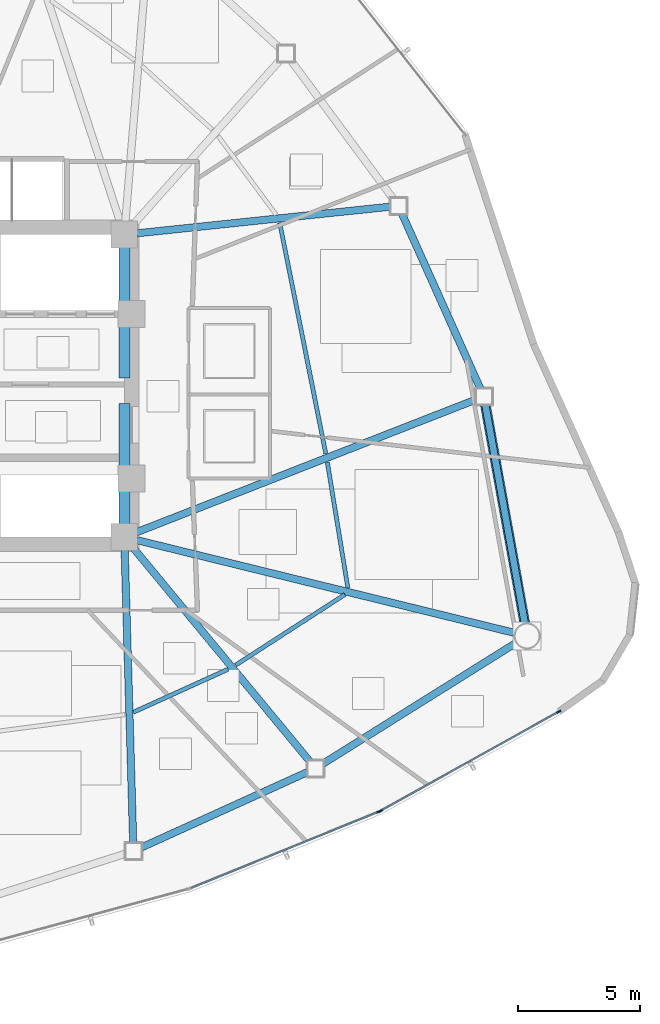
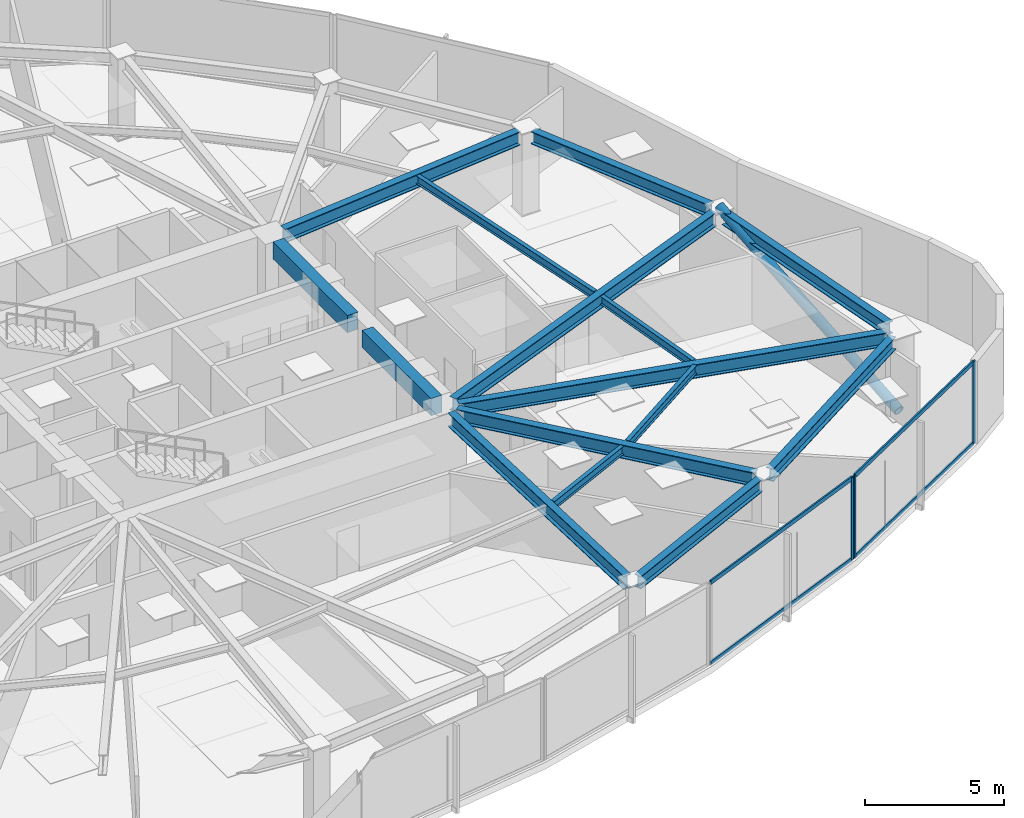
# One storey, part 6 of 17: 15 beams, 8 members, 2 elements without a shape of their own.
"""IFC4 building model written with IfcOpenShell, lengths in metres."""

from ifc_helpers import new_model, si_unit, direction, frame, origin, origin_2d, place, context, subcontext, project, spatial, rectangle, hollow_rectangle, hollow_circle, i_section, extrude, source, transform, mapped, material, layer, layer_set, material_profile, profile_set, type_object, type_shapes, element, aggregate, save


model = new_model("IFC4")

# Units and contexts
model_context = context("Model", 3, precision=1e-05, world=origin(), true_north=direction((0.0, 1.0)))
body_context = subcontext(model_context, "Body", "Model", "MODEL_VIEW")
ifc_project = project(units=[si_unit("LENGTHUNIT", "METRE"), si_unit("AREAUNIT", "SQUARE_METRE"), si_unit("VOLUMEUNIT", "CUBIC_METRE"), si_unit("PLANEANGLEUNIT", "RADIAN"), si_unit("MASSUNIT", "GRAM", prefix="KILO")], contexts=[model_context])

# Site, building, storey
site_placement = place(None, origin())
site = spatial("IfcSite", under=ifc_project, at=site_placement, CompositionType="ELEMENT")
building_placement = place(site_placement, origin())
building = spatial("IfcBuilding", under=site, at=building_placement, Name="Tavelor Broadcast Tower", CompositionType="ELEMENT")
storey_placement = place(building_placement, frame((0.0, 0.0, 74.39990234375)))
storey = spatial("IfcBuildingStorey", under=building, at=storey_placement, Name="L17", CompositionType="ELEMENT", Elevation=74.39990234375)

# Beams
ifc_material_1 = material(Name="Concrete C40/50", Category="concrete")
ifc_material_profile_1 = material_profile(ifc_material_1, rectangle(XDim=0.449951171875, YDim=0.75, at=origin_2d()), Name="RC 450x750")
ifc_profile_set_1 = profile_set([ifc_material_profile_1], Name="Concrete C40/50")
beam_type_1 = type_object("IfcBeamType", Name="Basement Core Trim Beam 450x750", PredefinedType="BEAM", material=ifc_profile_set_1)
beam_1_placement = place(storey_placement, frame((56.60009765625, 45.327880859375, 3.22509765625), z_axis=(0.0, 1.0, 0.0), x_axis=(-1.0, 0.0, 0.0)))
element("IfcBeam", 1, at=beam_1_placement, inside=storey, type_object=beam_type_1, Name="L17 Core East-N Tie Girder", PredefinedType="BEAM", context=body_context, shape_type="SweptSolid", body=[
    extrude(rectangle(XDim=0.449951171875, YDim=0.75, at=origin_2d()), origin(), (0.0, 0.0, 1.0), 5.34423828125),
])
beam_2_placement = place(storey_placement, frame((56.60009765625, 39.327880859375, 3.22509765625), z_axis=(0.0, 1.0, 0.0), x_axis=(-1.0, 0.0, 0.0)))
element("IfcBeam", 2, at=beam_2_placement, inside=storey, type_object=beam_type_1, Name="L17 Core East-S Tie Girder", PredefinedType="BEAM", context=body_context, shape_type="SweptSolid", body=[
    extrude(rectangle(XDim=0.449951171875, YDim=0.75, at=origin_2d()), origin(), (0.0, 0.0, 1.0), 4.944091796875),
])
ifc_material_2 = material(Name="Steel S355", Category="steel")
ifc_material_profile_2 = material_profile(ifc_material_2, i_section(OverallWidth=0.169921875, OverallDepth=0.360107421875, WebThickness=0.008056640625, FlangeThickness=0.0126953125, at=origin_2d()), Name="IPE 360")
ifc_profile_set_2 = profile_set([ifc_material_profile_2], Name="Steel S355")
beam_type_2 = type_object("IfcBeamType", Name="Composite Floor Joist T2 IPE 360", PredefinedType="JOIST", material=ifc_profile_set_2)
beam_3_placement = place(storey_placement, frame((56.976318359375, 31.61865234375, 3.420166015625), z_axis=(0.910576347723, 0.413340918573, 0.0), x_axis=(-0.413340918573, 0.910576347723, 0.0)))
element("IfcBeam", 3, at=beam_3_placement, inside=storey, type_object=beam_type_2, Name="L17 Secondary Composite Floor Joist 11", PredefinedType="JOIST", context=body_context, shape_type="SweptSolid", body=[
    extrude(i_section(OverallWidth=0.169921875, OverallDepth=0.360107421875, WebThickness=0.008056640625, FlangeThickness=0.0126953125, at=origin_2d()), origin(), (0.0, 0.0, 1.0), 4.26025390625),
])
beam_4_placement = place(storey_placement, frame((61.172607421875, 33.552490234375, 3.420166015625), z_axis=(0.839830816691, 0.542848228639, 0.0), x_axis=(-0.542848228639, 0.839830816691, 0.0)))
element("IfcBeam", 4, at=beam_4_placement, inside=storey, type_object=beam_type_2, Name="L17 Secondary Composite Floor Joist 12", PredefinedType="JOIST", context=body_context, shape_type="SweptSolid", body=[
    extrude(i_section(OverallWidth=0.169921875, OverallDepth=0.360107421875, WebThickness=0.008056640625, FlangeThickness=0.0126953125, at=origin_2d()), origin(), (0.0, 0.0, 1.0), 5.325439453125),
])
beam_5_placement = place(storey_placement, frame((65.767822265625, 36.72021484375, 3.420166015625), z_axis=(-0.161277112784, 0.986909161419, 0.0), x_axis=(-0.986909161419, -0.161277112784, 0.0)))
element("IfcBeam", 5, at=beam_5_placement, inside=storey, type_object=beam_type_2, Name="L17 Secondary Composite Floor Joist 13", PredefinedType="JOIST", context=body_context, shape_type="SweptSolid", body=[
    extrude(i_section(OverallWidth=0.169921875, OverallDepth=0.360107421875, WebThickness=0.008056640625, FlangeThickness=0.0126953125, at=origin_2d()), origin(), (0.0, 0.0, 1.0), 5.213623046875),
])
beam_6_placement = place(storey_placement, frame((64.8623046875, 42.2216796875, 3.420166015625), z_axis=(-0.195581157194, 0.980687519524, 0.0), x_axis=(-0.980687519524, -0.195581157194, 0.0)))
element("IfcBeam", 6, at=beam_6_placement, inside=storey, type_object=beam_type_2, Name="L17 Secondary Composite Floor Joist 14", PredefinedType="JOIST", context=body_context, shape_type="SweptSolid", body=[
    extrude(i_section(OverallWidth=0.169921875, OverallDepth=0.360107421875, WebThickness=0.008056640625, FlangeThickness=0.0126953125, at=origin_2d()), origin(), (0.0, 0.0, 1.0), 9.654296875),
])
ifc_material_profile_3 = material_profile(ifc_material_2, i_section(OverallWidth=0.300048828125, OverallDepth=0.550048828125, WebThickness=0.014892578125, FlangeThickness=0.029052734375, at=origin_2d()), Name="HEB 550")
ifc_profile_set_3 = profile_set([ifc_material_profile_3], Name="Steel S355")
beam_type_3 = type_object("IfcBeamType", Name="Perimeter Spandrel Beam T2 HEB 550", PredefinedType="SPANDREL", material=ifc_profile_set_3)
beam_7_placement = place(storey_placement, frame((57.28125, 26.060546875, 3.3251953125), z_axis=(0.910420869291, 0.413683261395, 0.0), x_axis=(-0.413683261395, 0.910420869291, 0.0)))
element("IfcBeam", 7, at=beam_7_placement, inside=storey, type_object=beam_type_3, Name="L17 Framed-Tube Ring Spandrel 11", PredefinedType="SPANDREL", context=body_context, shape_type="SweptSolid", body=[
    extrude(i_section(OverallWidth=0.300048828125, OverallDepth=0.550048828125, WebThickness=0.014892578125, FlangeThickness=0.029052734375, at=origin_2d()), origin(), (0.0, 0.0, 1.0), 7.531005859375),
])
beam_8_placement = place(storey_placement, frame((64.728271484375, 29.493408203125, 3.3251953125), z_axis=(0.847666386228, 0.530529638813, 0.0), x_axis=(-0.530529638813, 0.847666386228, 0.0)))
element("IfcBeam", 8, at=beam_8_placement, inside=storey, type_object=beam_type_3, Name="L17 Framed-Tube Ring Spandrel 12", PredefinedType="SPANDREL", context=body_context, shape_type="SweptSolid", body=[
    extrude(i_section(OverallWidth=0.300048828125, OverallDepth=0.550048828125, WebThickness=0.014892578125, FlangeThickness=0.029052734375, at=origin_2d()), origin(), (0.0, 0.0, 1.0), 9.385009765625),
])
beam_9_placement = place(storey_placement, frame((73.02685546875, 35.248046875, 3.3251953125), z_axis=(-0.177746542691, 0.984076301189, 0.0), x_axis=(-0.984076301189, -0.177746542691, 0.0)))
element("IfcBeam", 9, at=beam_9_placement, inside=storey, type_object=beam_type_3, Name="L17 Framed-Tube Ring Spandrel 13", PredefinedType="SPANDREL", context=body_context, shape_type="SweptSolid", body=[
    extrude(i_section(OverallWidth=0.300048828125, OverallDepth=0.550048828125, WebThickness=0.014892578125, FlangeThickness=0.029052734375, at=origin_2d()), origin(), (0.0, 0.0, 1.0), 9.13134765625),
])
beam_10_placement = place(storey_placement, frame((71.206787109375, 44.87109375, 3.3251953125), z_axis=(-0.408951132019, 0.912556284084, 0.0), x_axis=(-0.912556284084, -0.408951132019, 0.0)))
element("IfcBeam", 10, at=beam_10_placement, inside=storey, type_object=beam_type_3, Name="L17 Framed-Tube Ring Spandrel 14", PredefinedType="SPANDREL", context=body_context, shape_type="SweptSolid", body=[
    extrude(i_section(OverallWidth=0.300048828125, OverallDepth=0.550048828125, WebThickness=0.014892578125, FlangeThickness=0.029052734375, at=origin_2d()), origin(), (0.0, 0.0, 1.0), 7.895263671875),
])

# Member
ifc_material_profile_4 = material_profile(ifc_material_2, hollow_circle(Radius=0.203125, WallThickness=0.02001953125, at=origin_2d()), Name="CHS 406.4x20")
ifc_profile_set_4 = profile_set([ifc_material_profile_4], Name="Steel S355")
member_type_1 = type_object("IfcMemberType", Name="Perimeter Tube Brace T2 CHS 406.4x20", PredefinedType="BRACE", material=ifc_profile_set_4)
member_1_placement = place(storey_placement, frame((73.117919921875, 34.743896484375, 0.0), z_axis=(-0.167205980675, 0.925685078259, 0.339336552578), x_axis=(-0.984075144607, -0.177752945874, 0.0)))
element("IfcMember", 11, at=member_1_placement, inside=storey, type_object=member_type_1, Name="L17 Corner Tube Diagonal Brace 3", PredefinedType="BRACE", context=body_context, shape_type="SweptSolid", body=[
    extrude(hollow_circle(Radius=0.203125, WallThickness=0.02001953125, at=origin_2d()), origin(), (0.0, 0.0, 1.0), 10.609130859375),
])

# Beams
ifc_material_profile_5 = material_profile(ifc_material_2, i_section(OverallWidth=0.300048828125, OverallDepth=0.60009765625, WebThickness=0.015380859375, FlangeThickness=0.030029296875, at=origin_2d()), Name="HEB 600")
ifc_profile_set_5 = profile_set([ifc_material_profile_5], Name="Steel S355")
beam_type_4 = type_object("IfcBeamType", Name="Radial Floor Girder T2 HEB 600", PredefinedType="BEAM", material=ifc_profile_set_5)
beam_11_placement = place(storey_placement, frame((56.615478515625, 38.272216796875, 3.300048828125), z_axis=(0.029126279866, -0.999575739912, 0.0), x_axis=(0.999575739912, 0.029126279866, 0.0)))
element("IfcBeam", 12, at=beam_11_placement, inside=storey, type_object=beam_type_4, Name="L17 Radial Primary Floor Girder 11", PredefinedType="BEAM", context=body_context, shape_type="SweptSolid", body=[
    extrude(i_section(OverallWidth=0.300048828125, OverallDepth=0.60009765625, WebThickness=0.015380859375, FlangeThickness=0.030029296875, at=origin_2d()), origin(), (0.0, 0.0, 1.0), 12.02001953125),
])
beam_12_placement = place(storey_placement, frame((56.9365234375, 38.39306640625, 3.300048828125), z_axis=(0.637277760564, -0.770634190709, 0.0), x_axis=(0.770634190709, 0.637277760564, 0.0)))
element("IfcBeam", 13, at=beam_12_placement, inside=storey, type_object=beam_type_4, Name="L17 Radial Primary Floor Girder 12", PredefinedType="BEAM", context=body_context, shape_type="SweptSolid", body=[
    extrude(i_section(OverallWidth=0.300048828125, OverallDepth=0.60009765625, WebThickness=0.015380859375, FlangeThickness=0.030029296875, at=origin_2d()), origin(), (0.0, 0.0, 1.0), 11.44384765625),
])
beam_13_placement = place(storey_placement, frame((57.11279296875, 38.674072265625, 3.300048828125), z_axis=(0.971151145926, -0.238464780979, 0.0), x_axis=(0.238464780979, 0.971151145926, 0.0)))
element("IfcBeam", 14, at=beam_13_placement, inside=storey, type_object=beam_type_4, Name="L17 Radial Primary Floor Girder 13", PredefinedType="BEAM", context=body_context, shape_type="SweptSolid", body=[
    extrude(i_section(OverallWidth=0.300048828125, OverallDepth=0.60009765625, WebThickness=0.015380859375, FlangeThickness=0.030029296875, at=origin_2d()), origin(), (0.0, 0.0, 1.0), 15.96826171875),
])
beam_14_placement = place(storey_placement, frame((57.091796875, 38.9921875, 3.300048828125), z_axis=(0.931341899941, 0.36414593972, 0.0), x_axis=(-0.36414593972, 0.931341899941, 0.0)))
element("IfcBeam", 15, at=beam_14_placement, inside=storey, type_object=beam_type_4, Name="L17 Radial Primary Floor Girder 14", PredefinedType="BEAM", context=body_context, shape_type="SweptSolid", body=[
    extrude(i_section(OverallWidth=0.300048828125, OverallDepth=0.60009765625, WebThickness=0.015380859375, FlangeThickness=0.030029296875, at=origin_2d()), origin(), (0.0, 0.0, 1.0), 14.967041015625),
])
beam_15_placement = place(storey_placement, frame((57.125, 51.255126953125, 3.300048828125), z_axis=(0.994510577777, 0.104636086941, 0.0), x_axis=(-0.104636086941, 0.994510577777, 0.0)))
element("IfcBeam", 16, at=beam_15_placement, inside=storey, type_object=beam_type_4, Name="L17 Radial Primary Floor Girder 15", PredefinedType="BEAM", context=body_context, shape_type="SweptSolid", body=[
    extrude(i_section(OverallWidth=0.300048828125, OverallDepth=0.60009765625, WebThickness=0.015380859375, FlangeThickness=0.030029296875, at=origin_2d()), origin(), (0.0, 0.0, 1.0), 10.43896484375),
])

# Curtain wall, member
ifc_material_3 = material(Name="Architectural Anodized Aluminium", Category="aluminium")
ifc_layer = layer(ifc_material_3, 0.179931640625)
ifc_layer_set = layer_set([ifc_layer], Name="Architectural Anodized Aluminium")
curtain_wall_type = type_object("IfcCurtainWallType", Name="Tower Low-Zone Unitised Curtain Wall CW02", PredefinedType="NOTDEFINED", material=ifc_layer_set)
curtain_wall_1_placement = place(storey_placement, origin())
curtain_wall_1 = element("IfcCurtainWall", 17, at=curtain_wall_1_placement, inside=storey, type_object=curtain_wall_type, Name="L17 Curtain Wall CW02 Run 163", PredefinedType="NOTDEFINED")
ifc_material_profile_6 = material_profile(ifc_material_3, hollow_rectangle(XDim=0.06494140625, YDim=0.179931640625, WallThickness=0.02197265625, at=origin_2d()), Name="RHS 65x180x22")
ifc_profile_set_6 = profile_set([ifc_material_profile_6], Name="Architectural Anodized Aluminium")
member_type_2 = type_object("IfcMemberType", Name="CW02 Extruded Aluminium Mullion 65x180", PredefinedType="MULLION", material=ifc_profile_set_6)
shared_shape_1 = source(origin(), body_context, "Body", "SweptSolid", [
    extrude(hollow_rectangle(XDim=0.06494140625, YDim=0.179931640625, WallThickness=0.02197265625, at=origin_2d()), origin(), (0.0, 0.0, 1.0), 3.60009765625),
])
type_shapes(member_type_2, [shared_shape_1])
member_2_placement = place(storey_placement, frame((67.031982421875, 27.53662109375, 0.0), z_axis=(0.0, 0.0, 1.0), x_axis=(-0.376644246547, 0.926357982393, 0.0)))
member_2 = element("IfcMember", 18, at=member_2_placement, type_object=member_type_2, Name="CW02 mullion 2", PredefinedType="MULLION", context=body_context, shape_type="MappedRepresentation", body=[
    mapped(shared_shape_1, transform((0.0, 0.0, 0.0), scale=1.0)),
])

# Curtain wall, members
curtain_wall_2_placement = place(storey_placement, origin())
curtain_wall_2 = element("IfcCurtainWall", 19, at=curtain_wall_2_placement, inside=storey, type_object=curtain_wall_type, Name="L17 Curtain Wall CW02 Run 164", PredefinedType="NOTDEFINED")
member_3_placement = place(storey_placement, frame((67.117431640625, 27.57763671875, 0.0), z_axis=(0.0, 0.0, 1.0), x_axis=(-0.485968696513, 0.873976215929, 0.0)))
member_3 = element("IfcMember", 20, at=member_3_placement, type_object=member_type_2, Name="CW02 mullion 1", PredefinedType="MULLION", context=body_context, shape_type="MappedRepresentation", body=[
    mapped(shared_shape_1, transform((0.0, 0.0, 0.0), scale=1.0)),
])
member_4_placement = place(storey_placement, frame((74.41748046875, 31.63671875, 0.0), z_axis=(0.0, 0.0, 1.0), x_axis=(-0.485968696513, 0.873976215929, 0.0)))
member_4 = element("IfcMember", 21, at=member_4_placement, type_object=member_type_2, Name="CW02 mullion 2", PredefinedType="MULLION", context=body_context, shape_type="MappedRepresentation", body=[
    mapped(shared_shape_1, transform((0.0, 0.0, 0.0), scale=1.0)),
])

# Member
ifc_material_profile_7 = material_profile(ifc_material_3, hollow_rectangle(XDim=0.06494140625, YDim=0.179931640625, WallThickness=0.02197265625, at=origin_2d()), Name="RHS 65x180x22")
ifc_profile_set_7 = profile_set([ifc_material_profile_7], Name="Architectural Anodized Aluminium")
member_type_3 = type_object("IfcMemberType", Name="CW02 Extruded Aluminium Transom 65x180", PredefinedType="USERDEFINED", material=ifc_profile_set_7)
shared_shape_2 = source(origin(), body_context, "Body", "SweptSolid", [
    extrude(hollow_rectangle(XDim=0.06494140625, YDim=0.179931640625, WallThickness=0.02197265625, at=origin_2d()), origin(), (0.0, 0.0, 1.0), 8.27197265625),
])
member_5_placement = place(storey_placement, frame((59.339111328125, 24.408935546875, 0.03271484375), z_axis=(0.926363304295, 0.376631157043, 0.0), x_axis=(-0.376631157043, 0.926363304295, 0.0)))
member_5 = element("IfcMember", 22, at=member_5_placement, type_object=member_type_3, Name="CW02 transom 1.1", ObjectType="TRANSOM", PredefinedType="USERDEFINED", context=body_context, shape_type="MappedRepresentation", body=[
    mapped(shared_shape_2, transform((0.0, 0.0, 0.0), scale=1.0)),
])

member_6_placement = place(storey_placement, frame((59.339111328125, 24.408935546875, 3.567626953125), z_axis=(0.926363304295, 0.376631157043, 0.0), x_axis=(-0.376631157043, 0.926363304295, 0.0)))
member_6 = element("IfcMember", 23, at=member_6_placement, type_object=member_type_3, Name="CW02 transom 1.2", ObjectType="TRANSOM", PredefinedType="USERDEFINED", context=body_context, shape_type="MappedRepresentation", body=[
    mapped(shared_shape_2, transform((0.0, 0.0, 0.0), scale=1.0)),
])

aggregate(curtain_wall_1, [member_2, member_5, member_6])

shared_shape_3 = source(origin(), body_context, "Body", "SweptSolid", [
    extrude(hollow_rectangle(XDim=0.06494140625, YDim=0.179931640625, WallThickness=0.02197265625, at=origin_2d()), origin(), (0.0, 0.0, 1.0), 8.28759765625),
])
type_shapes(member_type_3, [shared_shape_2, shared_shape_3])
member_7_placement = place(storey_placement, frame((67.14599609375, 27.593505859375, 0.03271484375), z_axis=(0.873972402927, 0.485975553832, 0.0), x_axis=(-0.485975553832, 0.873972402927, 0.0)))
member_7 = element("IfcMember", 24, at=member_7_placement, type_object=member_type_3, Name="CW02 transom 1.1", ObjectType="TRANSOM", PredefinedType="USERDEFINED", context=body_context, shape_type="MappedRepresentation", body=[
    mapped(shared_shape_3, transform((0.0, 0.0, 0.0), scale=1.0)),
])

member_8_placement = place(storey_placement, frame((67.14599609375, 27.593505859375, 3.567626953125), z_axis=(0.873972402927, 0.485975553832, 0.0), x_axis=(-0.485975553832, 0.873972402927, 0.0)))
member_8 = element("IfcMember", 25, at=member_8_placement, type_object=member_type_3, Name="CW02 transom 1.2", ObjectType="TRANSOM", PredefinedType="USERDEFINED", context=body_context, shape_type="MappedRepresentation", body=[
    mapped(shared_shape_3, transform((0.0, 0.0, 0.0), scale=1.0)),
])

aggregate(curtain_wall_2, [member_3, member_4, member_7, member_8])

save(model, "model.ifc")
